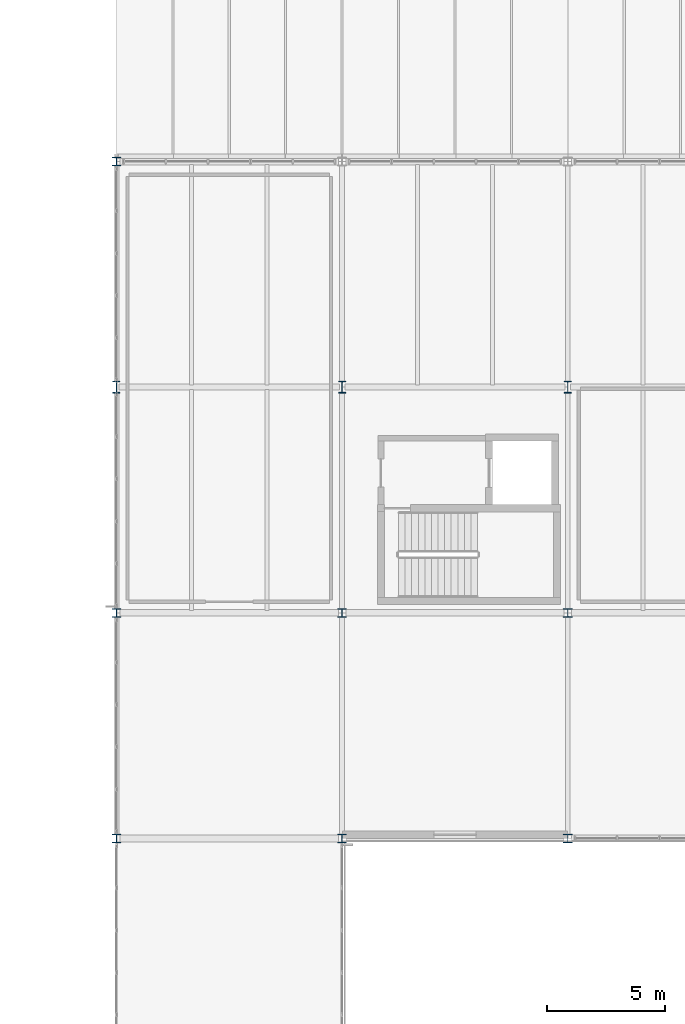
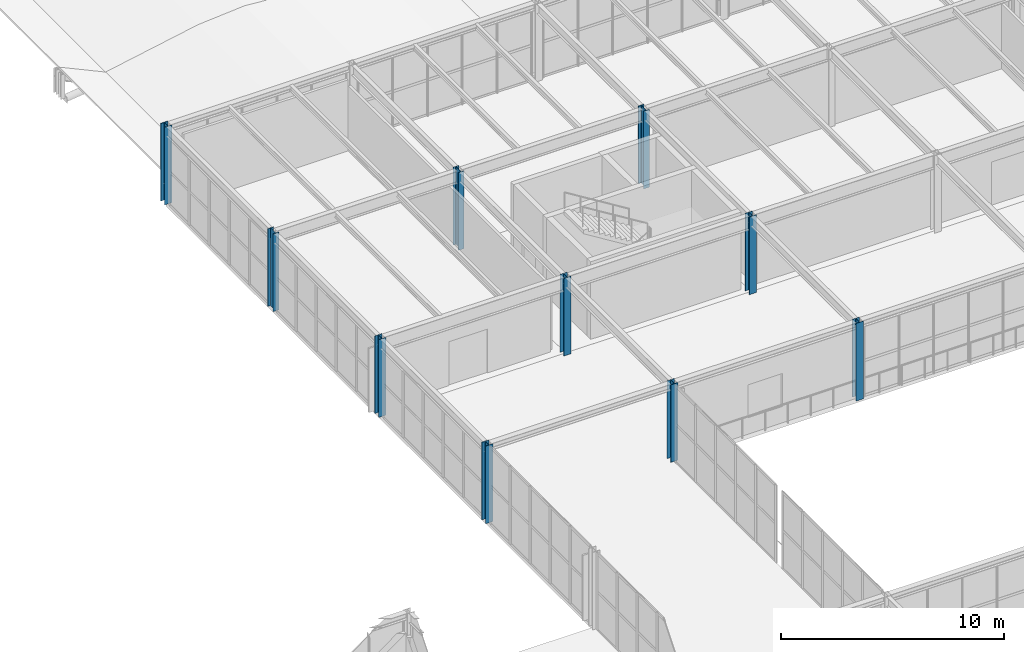
# One storey, part 7 of 170: 10 columns.
"""IFC4 building model written with IfcOpenShell, lengths in metres."""

from ifc_helpers import new_model, si_unit, direction, frame, origin, origin_2d, place, context, subcontext, project, spatial, i_section, extrude, material, material_profile, profile_set, type_object, element, save


model = new_model("IFC4")

# Units and contexts
model_context = context("Model", 3, precision=1e-05, world=origin(), true_north=direction((0.0, 1.0)))
body_context = subcontext(model_context, "Body", "Model", "MODEL_VIEW")
ifc_project = project(units=[si_unit("LENGTHUNIT", "METRE"), si_unit("AREAUNIT", "SQUARE_METRE"), si_unit("VOLUMEUNIT", "CUBIC_METRE"), si_unit("PLANEANGLEUNIT", "RADIAN"), si_unit("MASSUNIT", "GRAM", prefix="KILO")], contexts=[model_context])

# Site, building, storey
site_placement = place(None, origin())
site = spatial("IfcSite", under=ifc_project, at=site_placement, CompositionType="ELEMENT")
building_placement = place(site_placement, origin())
building = spatial("IfcBuilding", under=site, at=building_placement, Name="Coralgate Yard Interchange", CompositionType="ELEMENT")
storey_placement = place(building_placement, frame((0.0, 0.0, 6.0)))
storey = spatial("IfcBuildingStorey", under=building, at=storey_placement, Name="L01", CompositionType="ELEMENT", Elevation=6.0)

# Columns
ifc_material = material(Name="Structural steel S355J2", Category="steel")
ifc_material_profile_1 = material_profile(ifc_material, i_section(OverallWidth=0.300048828125, OverallDepth=0.5, WebThickness=0.014404296875, FlangeThickness=0.028076171875, FilletRadius=0.027099609375, at=origin_2d()), Name="HEB 500")
ifc_profile_set_1 = profile_set([ifc_material_profile_1], Name="Structural steel S355J2")
column_type_1 = type_object("IfcColumnType", Name="COL-SC-10", PredefinedType="COLUMN", material=ifc_profile_set_1)
for number, where, z_axis, x_axis, name in (
    (1, (38.39990234375, 86.39990234375, 0.0), (0.0, 0.0, 1.0), (1.0, 0.0, 0.0), "L01 structural column 4-9"),
    (2, (48.0, 86.39990234375, 0.0), (0.0, 0.0, 1.0), (1.0, 0.0, 0.0), "L01 structural column 5-9"),
    (3, (57.60009765625, 86.39990234375, 0.0), (0.0, 0.0, 1.0), (1.0, 0.0, 0.0), "L01 structural column 6-9"),
):
    element("IfcColumn", number, at=place(storey_placement, frame(where, z_axis=z_axis, x_axis=x_axis)), inside=storey, type_object=column_type_1, Name=name, PredefinedType="COLUMN", context=body_context, shape_type="SweptSolid", body=[
        extrude(i_section(OverallWidth=0.300048828125, OverallDepth=0.5, WebThickness=0.014404296875, FlangeThickness=0.028076171875, FilletRadius=0.027099609375, at=origin_2d()), origin(), (0.0, 0.0, 1.0), 4.25),
    ])
ifc_material_profile_2 = material_profile(ifc_material, i_section(OverallWidth=0.37255859375, OverallDepth=0.3681640625, WebThickness=0.014404296875, FlangeThickness=0.023681640625, FilletRadius=0.01513671875, at=origin_2d()), Name="UC 356x368x177")
ifc_profile_set_2 = profile_set([ifc_material_profile_2], Name="Structural steel S355J2")
column_type_2 = type_object("IfcColumnType", Name="COL-SC-3", PredefinedType="COLUMN", material=ifc_profile_set_2)
for number, where, z_axis, x_axis, name in (
    (4, (38.39990234375, 67.199951171875, 0.0), (0.0, 0.0, 1.0), (1.0, 0.0, 0.0), "L01 structural column 4-7"),
    (5, (38.39990234375, 76.800048828125, 0.0), (0.0, 0.0, 1.0), (1.0, 0.0, 0.0), "L01 structural column 4-8"),
    (6, (38.39990234375, 96.0, 0.0), (0.0, 0.0, 1.0), (1.0, 0.0, 0.0), "L01 structural column 4-10"),
    (7, (48.0, 67.199951171875, 0.0), (0.0, 0.0, 1.0), (1.0, 0.0, 0.0), "L01 structural column 5-7"),
    (8, (48.0, 76.800048828125, 0.0), (0.0, 0.0, 1.0), (1.0, 0.0, 0.0), "L01 structural column 5-8"),
    (9, (57.60009765625, 67.199951171875, 0.0), (0.0, 0.0, 1.0), (1.0, 0.0, 0.0), "L01 structural column 6-7"),
    (10, (57.60009765625, 76.800048828125, 0.0), (0.0, 0.0, 1.0), (1.0, 0.0, 0.0), "L01 structural column 6-8"),
):
    element("IfcColumn", number, at=place(storey_placement, frame(where, z_axis=z_axis, x_axis=x_axis)), inside=storey, type_object=column_type_2, Name=name, PredefinedType="COLUMN", context=body_context, shape_type="SweptSolid", body=[
        extrude(i_section(OverallWidth=0.37255859375, OverallDepth=0.3681640625, WebThickness=0.014404296875, FlangeThickness=0.023681640625, FilletRadius=0.01513671875, at=origin_2d()), origin(), (0.0, 0.0, 1.0), 4.25),
    ])

save(model, "model.ifc")
